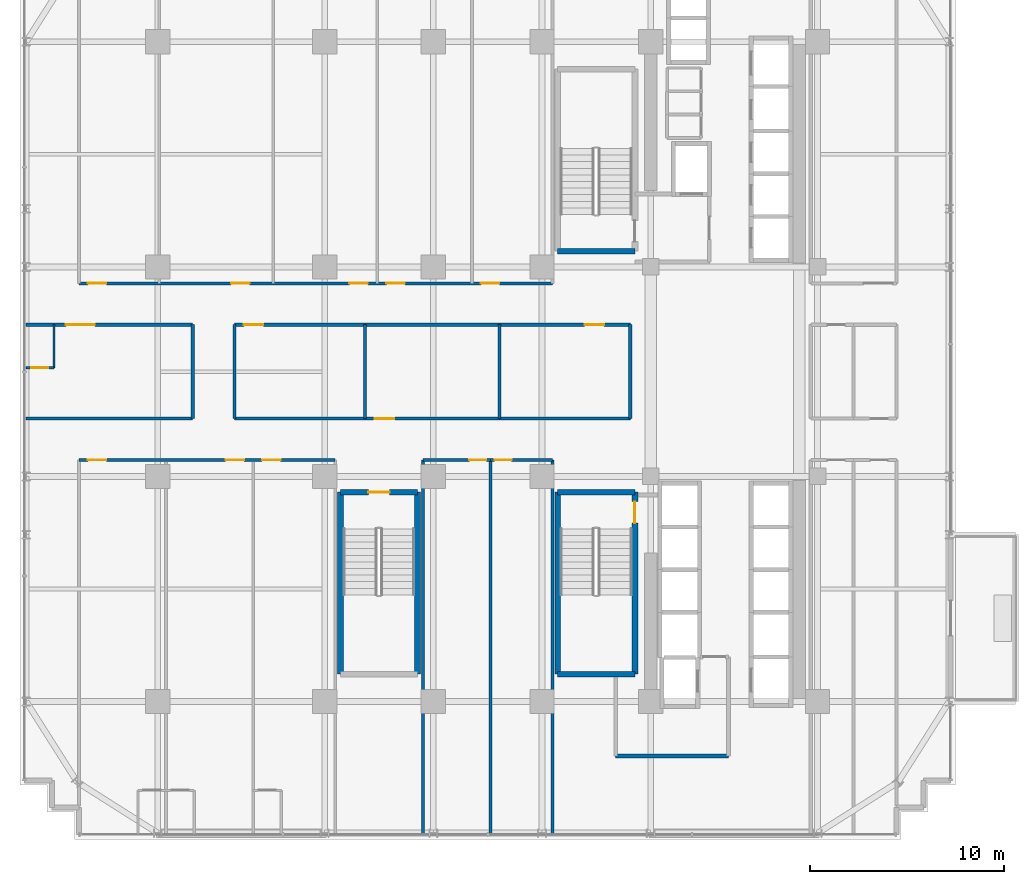
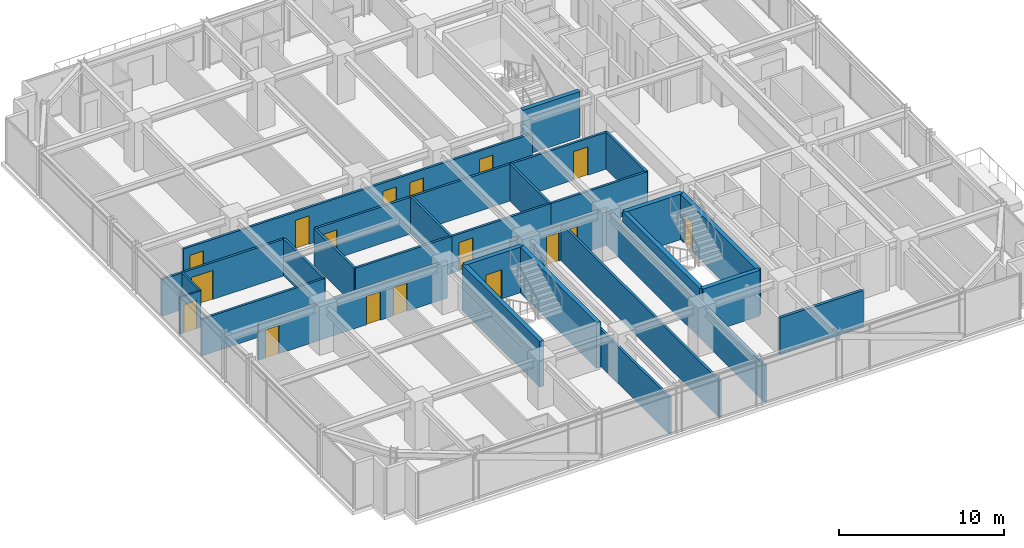
# One storey, part 27 of 34: 31 walls, 17 doors, 17 openings.
"""IFC4 building model written with IfcOpenShell, lengths in metres."""

from ifc_helpers import new_model, si_unit, direction, frame, frame_2d, origin, place, context, subcontext, project, spatial, rectangle, extrude, source, transform, mapped, material, layer, layer_set, type_object, element, fill, save


model = new_model("IFC4")

# Units and contexts
model_context = context("Model", 3, precision=1e-05, world=origin(), true_north=direction((0.0, 1.0)))
body_context = subcontext(model_context, "Body", "Model", "MODEL_VIEW")
ifc_project = project(units=[si_unit("LENGTHUNIT", "METRE"), si_unit("AREAUNIT", "SQUARE_METRE"), si_unit("VOLUMEUNIT", "CUBIC_METRE"), si_unit("PLANEANGLEUNIT", "RADIAN"), si_unit("MASSUNIT", "GRAM", prefix="KILO")], contexts=[model_context])

# Site, building, storey
site_placement = place(None, origin())
site = spatial("IfcSite", under=ifc_project, at=site_placement, CompositionType="ELEMENT")
building_placement = place(site_placement, origin())
building = spatial("IfcBuilding", under=site, at=building_placement, Name="Nahalor Promenade Grand Hotel", CompositionType="ELEMENT")
storey_placement = place(building_placement, frame((0.0, 0.0, 99.25)))
storey = spatial("IfcBuildingStorey", under=building, at=storey_placement, Name="L24", CompositionType="ELEMENT", Elevation=99.25)

# Walls
ifc_material_1 = material(Name="Concrete B-50 (C40/50)", Category="concrete")
ifc_layer_1 = layer(ifc_material_1, 0.300048828125)
ifc_layer_set_1 = layer_set([ifc_layer_1], Name="Concrete B-50 (C40/50)")
wall_type_1 = type_object("IfcWallType", Name="Wall-ShaftShear-300", PredefinedType="SHEAR", material=ifc_layer_set_1)
shared_shape_1 = source(origin(), body_context, "Body", "SweptSolid", [
    extrude(rectangle(XDim=3.97998046875, YDim=0.300048828125, at=frame_2d((1.989990234375, 0.0))), origin(), (0.0, 0.0, 1.0), 3.3798828125),
])
for number, where, z_axis, x_axis, name in (
    (1, (3.610107421875, 6.2099609375, 0.0), (0.0, 0.0, 1.0), (1.0, 0.0, 0.0), "L24 Exit Stair ST1 Shaft Wall S"),
    (2, (3.610107421875, -15.590087890625, 0.0), (0.0, 0.0, 1.0), (1.0, 0.0, 0.0), "L24 Exit Stair ST2 Shaft Wall S"),
    (3, (3.610107421875, -6.2099609375, 0.0), (0.0, 0.0, 1.0), (1.0, 0.0, 0.0), "L24 Exit Stair ST2 Shaft Wall N"),
):
    element("IfcWall", number, at=place(storey_placement, frame(where, z_axis=z_axis, x_axis=x_axis)), inside=storey, type_object=wall_type_1, Name=name, PredefinedType="SHEAR", context=body_context, shape_type="MappedRepresentation", body=[
        mapped(shared_shape_1, transform((0.0, 0.0, 0.0), scale=1.0)),
    ])

# Wall, opening, door
wall_1_placement = place(storey_placement, frame((-7.590087890625, -6.2099609375, 0.0), z_axis=(0.0, 0.0, 1.0), x_axis=(1.0, 0.0, 0.0)))
wall_1 = element("IfcWall", 4, at=wall_1_placement, inside=storey, type_object=wall_type_1, Name="L24 Exit Stair ST3 Shaft Wall N", PredefinedType="SHEAR", context=body_context, shape_type="MappedRepresentation", body=[
    mapped(shared_shape_1, transform((0.0, 0.0, 0.0), scale=1.0)),
])
opening_1_placement = place(wall_1_placement, frame((1.43994140625, 0.0, 0.0)))
opening_1 = element("IfcOpeningElement", 5, at=opening_1_placement, cuts=wall_1, Name="Opening D-ST1", PredefinedType="OPENING", context=body_context, shape_type="SweptSolid", body=[
    extrude(rectangle(XDim=1.10009765625, YDim=2.14990234375, at=frame_2d((0.550048828125, 1.074951171875))), frame((0.0, 0.159912109375, 0.0), z_axis=(0.0, -1.0, 0.0), x_axis=(1.0, 0.0, 0.0)), (0.0, 0.0, 1.0), 0.320068359375),
])
ifc_material_2 = material(Name="Steel S355JR", Category="steel")
door_type_1 = type_object("IfcDoorType", Name="Door-StairFire-1100", OperationType="NOTDEFINED", PredefinedType="DOOR", material=ifc_material_2)
shared_shape_2 = source(origin(), body_context, "Body", "SweptSolid", [
    extrude(rectangle(XDim=1.10009765625, YDim=2.14990234375, at=frame_2d((0.550048828125, 1.074951171875))), frame((0.0, 0.02490234375, 0.0), z_axis=(0.0, -1.0, 0.0), x_axis=(1.0, 0.0, 0.0)), (0.0, 0.0, 1.0), 0.050048828125),
])
door_1_placement = place(opening_1_placement, frame((1.10009765625, 0.0, 0.0), z_axis=(0.0, 0.0, 1.0), x_axis=(-1.0, 0.0, 0.0)))
door_1 = element("IfcDoor", 6, at=door_1_placement, inside=storey, type_object=door_type_1, Name="DR-STAIR-ST3-L24", OperationType="SINGLE_SWING_LEFT", OverallHeight=2.14990234375, OverallWidth=1.10009765625, PredefinedType="DOOR", context=body_context, shape_type="MappedRepresentation", body=[
    mapped(shared_shape_2, transform((0.0, 0.0, 0.0), scale=1.0)),
])
fill(opening_1, door_1)

# Wall
shared_shape_3 = source(origin(), body_context, "Body", "SweptSolid", [
    extrude(rectangle(XDim=9.380126953125, YDim=0.300048828125, at=frame_2d((4.68994140625, 0.0))), origin(), (0.0, 0.0, 1.0), 3.3798828125),
])
wall_2_placement = place(storey_placement, frame((3.610107421875, -15.590087890625, 0.0), z_axis=(0.0, 0.0, 1.0), x_axis=(0.0, 1.0, 0.0)))
element("IfcWall", 7, at=wall_2_placement, inside=storey, type_object=wall_type_1, Name="L24 Exit Stair ST2 Shaft Wall W", PredefinedType="SHEAR", context=body_context, shape_type="MappedRepresentation", body=[
    mapped(shared_shape_3, transform((0.0, 0.0, 0.0), scale=1.0)),
])

# Wall, opening, door
wall_3_placement = place(storey_placement, frame((7.590087890625, -15.590087890625, 0.0), z_axis=(0.0, 0.0, 1.0), x_axis=(0.0, 1.0, 0.0)))
wall_3 = element("IfcWall", 8, at=wall_3_placement, inside=storey, type_object=wall_type_1, Name="L24 Exit Stair ST2 Shaft Wall E", PredefinedType="SHEAR", context=body_context, shape_type="MappedRepresentation", body=[
    mapped(shared_shape_3, transform((0.0, 0.0, 0.0), scale=1.0)),
])
opening_2_placement = place(wall_3_placement, frame((7.7900390625, 0.0, 0.0)))
opening_2 = element("IfcOpeningElement", 9, at=opening_2_placement, cuts=wall_3, Name="Opening D-ST1", PredefinedType="OPENING", context=body_context, shape_type="SweptSolid", body=[
    extrude(rectangle(XDim=1.10009765625, YDim=2.14990234375, at=frame_2d((0.550048828125, 1.074951171875))), frame((0.0, 0.159912109375, 0.0), z_axis=(0.0, -1.0, 0.0), x_axis=(1.0, 0.0, 0.0)), (0.0, 0.0, 1.0), 0.320068359375),
])
door_2_placement = place(opening_2_placement, origin())
door_2 = element("IfcDoor", 10, at=door_2_placement, inside=storey, type_object=door_type_1, Name="DR-STAIR-ST2-L24", OperationType="SINGLE_SWING_LEFT", OverallHeight=2.14990234375, OverallWidth=1.10009765625, PredefinedType="DOOR", context=body_context, shape_type="MappedRepresentation", body=[
    mapped(shared_shape_2, transform((0.0, 0.0, 0.0), scale=1.0)),
])
fill(opening_2, door_2)

# Walls
for number, where, z_axis, x_axis, name in (
    (11, (-7.590087890625, -15.590087890625, 0.0), (0.0, 0.0, 1.0), (0.0, 1.0, 0.0), "L24 Exit Stair ST3 Shaft Wall W"),
    (12, (-3.610107421875, -15.590087890625, 0.0), (0.0, 0.0, 1.0), (0.0, 1.0, 0.0), "L24 Exit Stair ST3 Shaft Wall E"),
):
    element("IfcWall", number, at=place(storey_placement, frame(where, z_axis=z_axis, x_axis=x_axis)), inside=storey, type_object=wall_type_1, Name=name, PredefinedType="SHEAR", context=body_context, shape_type="MappedRepresentation", body=[
        mapped(shared_shape_3, transform((0.0, 0.0, 0.0), scale=1.0)),
    ])
ifc_material_3 = material(Name="Concrete B-40 (C32/40)", Category="concrete")
ifc_layer_2 = layer(ifc_material_3, 0.199951171875)
ifc_layer_set_2 = layer_set([ifc_layer_2], Name="Concrete B-40 (C32/40)")
wall_type_2 = type_object("IfcWallType", Name="Wall-PartFire-200", PredefinedType="PARTITIONING", material=ifc_layer_set_2)
shared_shape_4 = source(origin(), body_context, "Body", "SweptSolid", [
    extrude(rectangle(XDim=5.81982421875, YDim=0.199951171875, at=frame_2d((2.909912109375, 0.0))), origin(), (0.0, 0.0, 1.0), 2.719970703125),
])
wall_4_placement = place(storey_placement, frame((6.60009765625, -19.800048828125, 0.0), z_axis=(0.0, 0.0, 1.0), x_axis=(1.0, 0.0, 0.0)))
element("IfcWall", 13, at=wall_4_placement, inside=storey, type_object=wall_type_2, Name="W-L24-FF2-S1", PredefinedType="PARTITIONING", context=body_context, shape_type="MappedRepresentation", body=[
    mapped(shared_shape_4, transform((0.0, 0.0, 0.0), scale=1.0)),
])
ifc_material_4 = material(Name="Acoustic Mineral Gypsum", Category="gypsum")
ifc_layer_3 = layer(ifc_material_4, 0.159912109375)
ifc_layer_set_3 = layer_set([ifc_layer_3], Name="Acoustic Mineral Gypsum")
wall_type_3 = type_object("IfcWallType", Name="Wall-PartCorridor-160", PredefinedType="PARTITIONING", material=ifc_layer_set_3)
shared_shape_5 = source(origin(), body_context, "Body", "SweptSolid", [
    extrude(rectangle(XDim=19.25, YDim=0.159912109375, at=frame_2d((9.625, 0.0))), origin(), (0.0, 0.0, 1.0), 2.719970703125),
])
for number, where, z_axis, x_axis, name in (
    (14, (-3.340087890625, -23.800048828125, 0.0), (0.0, 0.0, 1.0), (0.0, 1.0, 0.0), "W-L24-SCB1-W"),
    (15, (0.14990234375, -23.800048828125, 0.0), (0.0, 0.0, 1.0), (0.0, 1.0, 0.0), "W-L24-SCB1-E"),
    (16, (3.340087890625, -23.800048828125, 0.0), (0.0, 0.0, 1.0), (0.0, 1.0, 0.0), "W-L24-SCB2-E"),
):
    element("IfcWall", number, at=place(storey_placement, frame(where, z_axis=z_axis, x_axis=x_axis)), inside=storey, type_object=wall_type_3, Name=name, PredefinedType="PARTITIONING", context=body_context, shape_type="MappedRepresentation", body=[
        mapped(shared_shape_5, transform((0.0, 0.0, 0.0), scale=1.0)),
    ])

# Wall, openings, doors
shared_shape_6 = source(origin(), body_context, "Body", "SweptSolid", [
    extrude(rectangle(XDim=24.400146484375, YDim=0.159912109375, at=frame_2d((12.2001953125, 0.0))), origin(), (0.0, 0.0, 1.0), 2.719970703125),
])
wall_5_placement = place(storey_placement, frame((-21.06005859375, 4.550048828125, 0.0), z_axis=(0.0, 0.0, 1.0), x_axis=(1.0, 0.0, 0.0)))
wall_5 = element("IfcWall", 17, at=wall_5_placement, inside=storey, type_object=wall_type_3, Name="W-L24-CORR-N", PredefinedType="PARTITIONING", context=body_context, shape_type="MappedRepresentation", body=[
    mapped(shared_shape_6, transform((0.0, 0.0, 0.0), scale=1.0)),
])
opening_3_placement = place(wall_5_placement, frame((0.45703125, 0.0, 0.0)))
opening_3 = element("IfcOpeningElement", 18, at=opening_3_placement, cuts=wall_5, Name="Opening D-01", PredefinedType="OPENING", context=body_context, shape_type="SweptSolid", body=[
    extrude(rectangle(XDim=0.949951171875, YDim=2.10009765625, at=frame_2d((0.47509765625, 1.050048828125))), frame((0.0, 0.08984375, 0.0), z_axis=(0.0, -1.0, 0.0), x_axis=(1.0, 0.0, 0.0)), (0.0, 0.0, 1.0), 0.179931640625),
])
opening_4_placement = place(wall_5_placement, frame((7.843994140625, 0.0, 0.0)))
opening_4 = element("IfcOpeningElement", 19, at=opening_4_placement, cuts=wall_5, Name="Opening D-01", PredefinedType="OPENING", context=body_context, shape_type="SweptSolid", body=[
    extrude(rectangle(XDim=0.949951171875, YDim=2.10009765625, at=frame_2d((0.47509765625, 1.050048828125))), frame((0.0, 0.08984375, 0.0), z_axis=(0.0, -1.0, 0.0), x_axis=(1.0, 0.0, 0.0)), (0.0, 0.0, 1.0), 0.179931640625),
])
opening_5_placement = place(wall_5_placement, frame((13.93896484375, 0.0, 0.0)))
opening_5 = element("IfcOpeningElement", 20, at=opening_5_placement, cuts=wall_5, Name="Opening D-01", PredefinedType="OPENING", context=body_context, shape_type="SweptSolid", body=[
    extrude(rectangle(XDim=0.949951171875, YDim=2.10009765625, at=frame_2d((0.47509765625, 1.050048828125))), frame((0.0, 0.08984375, 0.0), z_axis=(0.0, -1.0, 0.0), x_axis=(1.0, 0.0, 0.0)), (0.0, 0.0, 1.0), 0.179931640625),
])
opening_6_placement = place(wall_5_placement, frame((15.844970703125, 0.0, 0.0)))
opening_6 = element("IfcOpeningElement", 21, at=opening_6_placement, cuts=wall_5, Name="Opening D-01", PredefinedType="OPENING", context=body_context, shape_type="SweptSolid", body=[
    extrude(rectangle(XDim=0.949951171875, YDim=2.10009765625, at=frame_2d((0.47509765625, 1.050048828125))), frame((0.0, 0.08984375, 0.0), z_axis=(0.0, -1.0, 0.0), x_axis=(1.0, 0.0, 0.0)), (0.0, 0.0, 1.0), 0.179931640625),
])
opening_7_placement = place(wall_5_placement, frame((20.708984375, 0.0, 0.0)))
opening_7 = element("IfcOpeningElement", 22, at=opening_7_placement, cuts=wall_5, Name="Opening D-01", PredefinedType="OPENING", context=body_context, shape_type="SweptSolid", body=[
    extrude(rectangle(XDim=0.949951171875, YDim=2.10009765625, at=frame_2d((0.47509765625, 1.050048828125))), frame((0.0, 0.08984375, 0.0), z_axis=(0.0, -1.0, 0.0), x_axis=(1.0, 0.0, 0.0)), (0.0, 0.0, 1.0), 0.179931640625),
])
ifc_material_5 = material(Name="Fire-Rated Timber Composite", Category="wood")
door_type_2 = type_object("IfcDoorType", Name="Door-GuestEntry-950", OperationType="NOTDEFINED", PredefinedType="DOOR", material=ifc_material_5)
shared_shape_7 = source(origin(), body_context, "Body", "SweptSolid", [
    extrude(rectangle(XDim=0.949951171875, YDim=2.10009765625, at=frame_2d((0.47509765625, 1.050048828125))), frame((0.0, 0.02490234375, 0.0), z_axis=(0.0, -1.0, 0.0), x_axis=(1.0, 0.0, 0.0)), (0.0, 0.0, 1.0), 0.050048828125),
])
door_3_placement = place(opening_3_placement, origin())
door_3 = element("IfcDoor", 23, at=door_3_placement, inside=storey, type_object=door_type_2, Name="DR-L24-N1-ENT", OperationType="SINGLE_SWING_LEFT", OverallHeight=2.10009765625, OverallWidth=0.949951171875, PredefinedType="DOOR", context=body_context, shape_type="MappedRepresentation", body=[
    mapped(shared_shape_7, transform((0.0, 0.0, 0.0), scale=1.0)),
])
fill(opening_3, door_3)
door_4_placement = place(opening_4_placement, origin())
door_4 = element("IfcDoor", 24, at=door_4_placement, inside=storey, type_object=door_type_2, Name="DR-L24-N2-ENT", OperationType="SINGLE_SWING_LEFT", OverallHeight=2.10009765625, OverallWidth=0.949951171875, PredefinedType="DOOR", context=body_context, shape_type="MappedRepresentation", body=[
    mapped(shared_shape_7, transform((0.0, 0.0, 0.0), scale=1.0)),
])
fill(opening_4, door_4)
door_5_placement = place(opening_5_placement, origin())
door_5 = element("IfcDoor", 25, at=door_5_placement, inside=storey, type_object=door_type_2, Name="DR-L24-N3-ENT", OperationType="SINGLE_SWING_LEFT", OverallHeight=2.10009765625, OverallWidth=0.949951171875, PredefinedType="DOOR", context=body_context, shape_type="MappedRepresentation", body=[
    mapped(shared_shape_7, transform((0.0, 0.0, 0.0), scale=1.0)),
])
fill(opening_5, door_5)
door_6_placement = place(opening_6_placement, origin())
door_6 = element("IfcDoor", 26, at=door_6_placement, inside=storey, type_object=door_type_2, Name="DR-L24-N4-ENT", OperationType="SINGLE_SWING_LEFT", OverallHeight=2.10009765625, OverallWidth=0.949951171875, PredefinedType="DOOR", context=body_context, shape_type="MappedRepresentation", body=[
    mapped(shared_shape_7, transform((0.0, 0.0, 0.0), scale=1.0)),
])
fill(opening_6, door_6)
door_7_placement = place(opening_7_placement, origin())
door_7 = element("IfcDoor", 27, at=door_7_placement, inside=storey, type_object=door_type_2, Name="DR-L24-N5-ENT", OperationType="SINGLE_SWING_LEFT", OverallHeight=2.10009765625, OverallWidth=0.949951171875, PredefinedType="DOOR", context=body_context, shape_type="MappedRepresentation", body=[
    mapped(shared_shape_7, transform((0.0, 0.0, 0.0), scale=1.0)),
])
fill(opening_7, door_7)

# Wall
ifc_layer_4 = layer(ifc_material_4, 0.1201171875)
ifc_layer_set_4 = layer_set([ifc_layer_4], Name="Acoustic Mineral Gypsum")
wall_type_4 = type_object("IfcWallType", Name="Wall-PartBath-120", PredefinedType="PARTITIONING", material=ifc_layer_set_4)
shared_shape_8 = source(origin(), body_context, "Body", "SweptSolid", [
    extrude(rectangle(XDim=2.219970703125, YDim=0.1201171875, at=frame_2d((1.10986328125, 0.0))), origin(), (0.0, 0.0, 1.0), 2.719970703125),
])
wall_6_placement = place(storey_placement, frame((-22.35009765625, 0.199951171875, 0.0), z_axis=(0.0, 0.0, 1.0), x_axis=(0.0, 1.0, 0.0)))
element("IfcWall", 28, at=wall_6_placement, inside=storey, type_object=wall_type_4, Name="W-L24-W1-BV", PredefinedType="PARTITIONING", context=body_context, shape_type="MappedRepresentation", body=[
    mapped(shared_shape_8, transform((0.0, 0.0, 0.0), scale=1.0)),
])

# Wall, opening, door
shared_shape_9 = source(origin(), body_context, "Body", "SweptSolid", [
    extrude(rectangle(XDim=1.449951171875, YDim=0.1201171875, at=frame_2d((0.72509765625, 0.0))), origin(), (0.0, 0.0, 1.0), 2.719970703125),
])
wall_7_placement = place(storey_placement, frame((-23.800048828125, 0.199951171875, 0.0), z_axis=(0.0, 0.0, 1.0), x_axis=(1.0, 0.0, 0.0)))
wall_7 = element("IfcWall", 29, at=wall_7_placement, inside=storey, type_object=wall_type_4, Name="W-L24-W1-BH", PredefinedType="PARTITIONING", context=body_context, shape_type="MappedRepresentation", body=[
    mapped(shared_shape_9, transform((0.0, 0.0, 0.0), scale=1.0)),
])
opening_8_placement = place(wall_7_placement, frame((0.284912109375, 0.0, 0.0)))
opening_8 = element("IfcOpeningElement", 30, at=opening_8_placement, cuts=wall_7, Name="Opening D-03", PredefinedType="OPENING", context=body_context, shape_type="SweptSolid", body=[
    extrude(rectangle(XDim=0.8798828125, YDim=2.10009765625, at=frame_2d((0.43994140625, 1.050048828125))), frame((0.0, 0.070068359375, 0.0), z_axis=(0.0, -1.0, 0.0), x_axis=(1.0, 0.0, 0.0)), (0.0, 0.0, 1.0), 0.14013671875),
])
door_type_3 = type_object("IfcDoorType", Name="Door-BathSwing-880", OperationType="NOTDEFINED", PredefinedType="DOOR", material=ifc_material_5)
shared_shape_10 = source(origin(), body_context, "Body", "SweptSolid", [
    extrude(rectangle(XDim=0.8798828125, YDim=2.10009765625, at=frame_2d((0.43994140625, 1.050048828125))), frame((0.0, 0.02490234375, 0.0), z_axis=(0.0, -1.0, 0.0), x_axis=(1.0, 0.0, 0.0)), (0.0, 0.0, 1.0), 0.050048828125),
])
door_8_placement = place(opening_8_placement, origin())
door_8 = element("IfcDoor", 31, at=door_8_placement, inside=storey, type_object=door_type_3, Name="DR-L24-W1-BATH", OperationType="SINGLE_SWING_RIGHT", OverallHeight=2.10009765625, OverallWidth=0.8798828125, PredefinedType="DOOR", context=body_context, shape_type="MappedRepresentation", body=[
    mapped(shared_shape_10, transform((0.0, 0.0, 0.0), scale=1.0)),
])
fill(opening_8, door_8)

# Wall, openings, doors
shared_shape_11 = source(origin(), body_context, "Body", "SweptSolid", [
    extrude(rectangle(XDim=13.199951171875, YDim=0.159912109375, at=frame_2d((6.60009765625, 0.0))), origin(), (0.0, 0.0, 1.0), 2.719970703125),
])
wall_8_placement = place(storey_placement, frame((-21.06005859375, -4.550048828125, 0.0), z_axis=(0.0, 0.0, 1.0), x_axis=(1.0, 0.0, 0.0)))
wall_8 = element("IfcWall", 32, at=wall_8_placement, inside=storey, type_object=wall_type_3, Name="W-L24-CORR-S", PredefinedType="PARTITIONING", context=body_context, shape_type="MappedRepresentation", body=[
    mapped(shared_shape_11, transform((0.0, 0.0, 0.0), scale=1.0)),
])
opening_9_placement = place(wall_8_placement, frame((0.464111328125, 0.0, 0.0)))
opening_9 = element("IfcOpeningElement", 33, at=opening_9_placement, cuts=wall_8, Name="Opening D-01", PredefinedType="OPENING", context=body_context, shape_type="SweptSolid", body=[
    extrude(rectangle(XDim=0.949951171875, YDim=2.10009765625, at=frame_2d((0.47509765625, 1.050048828125))), frame((0.0, 0.08984375, 0.0), z_axis=(0.0, -1.0, 0.0), x_axis=(1.0, 0.0, 0.0)), (0.0, 0.0, 1.0), 0.179931640625),
])
opening_10_placement = place(wall_8_placement, frame((7.56201171875, 0.0, 0.0)))
opening_10 = element("IfcOpeningElement", 34, at=opening_10_placement, cuts=wall_8, Name="Opening D-01", PredefinedType="OPENING", context=body_context, shape_type="SweptSolid", body=[
    extrude(rectangle(XDim=0.949951171875, YDim=2.10009765625, at=frame_2d((0.47509765625, 1.050048828125))), frame((0.0, 0.08984375, 0.0), z_axis=(0.0, -1.0, 0.0), x_axis=(1.0, 0.0, 0.0)), (0.0, 0.0, 1.0), 0.179931640625),
])
opening_11_placement = place(wall_8_placement, frame((9.43505859375, 0.0, 0.0)))
opening_11 = element("IfcOpeningElement", 35, at=opening_11_placement, cuts=wall_8, Name="Opening D-01", PredefinedType="OPENING", context=body_context, shape_type="SweptSolid", body=[
    extrude(rectangle(XDim=0.949951171875, YDim=2.10009765625, at=frame_2d((0.47509765625, 1.050048828125))), frame((0.0, 0.08984375, 0.0), z_axis=(0.0, -1.0, 0.0), x_axis=(1.0, 0.0, 0.0)), (0.0, 0.0, 1.0), 0.179931640625),
])
door_9_placement = place(opening_9_placement, frame((0.949951171875, 0.0, 0.0), z_axis=(0.0, 0.0, 1.0), x_axis=(-1.0, 0.0, 0.0)))
door_9 = element("IfcDoor", 36, at=door_9_placement, inside=storey, type_object=door_type_2, Name="DR-L24-S1-ENT", OperationType="SINGLE_SWING_LEFT", OverallHeight=2.10009765625, OverallWidth=0.949951171875, PredefinedType="DOOR", context=body_context, shape_type="MappedRepresentation", body=[
    mapped(shared_shape_7, transform((0.0, 0.0, 0.0), scale=1.0)),
])
fill(opening_9, door_9)
door_10_placement = place(opening_10_placement, frame((0.949951171875, 0.0, 0.0), z_axis=(0.0, 0.0, 1.0), x_axis=(-1.0, 0.0, 0.0)))
door_10 = element("IfcDoor", 37, at=door_10_placement, inside=storey, type_object=door_type_2, Name="DR-L24-S2-ENT", OperationType="SINGLE_SWING_LEFT", OverallHeight=2.10009765625, OverallWidth=0.949951171875, PredefinedType="DOOR", context=body_context, shape_type="MappedRepresentation", body=[
    mapped(shared_shape_7, transform((0.0, 0.0, 0.0), scale=1.0)),
])
fill(opening_10, door_10)
door_11_placement = place(opening_11_placement, frame((0.949951171875, 0.0, 0.0), z_axis=(0.0, 0.0, 1.0), x_axis=(-1.0, 0.0, 0.0)))
door_11 = element("IfcDoor", 38, at=door_11_placement, inside=storey, type_object=door_type_2, Name="DR-L24-S3-ENT", OperationType="SINGLE_SWING_LEFT", OverallHeight=2.10009765625, OverallWidth=0.949951171875, PredefinedType="DOOR", context=body_context, shape_type="MappedRepresentation", body=[
    mapped(shared_shape_7, transform((0.0, 0.0, 0.0), scale=1.0)),
])
fill(opening_11, door_11)

# Walls
shared_shape_12 = source(origin(), body_context, "Body", "SweptSolid", [
    extrude(rectangle(XDim=4.83984375, YDim=0.159912109375, at=frame_2d((2.419921875, 0.0))), origin(), (0.0, 0.0, 1.0), 2.719970703125),
])
for number, where, z_axis, x_axis, name in (
    (39, (-15.199951171875, -2.419921875, 0.0), (0.0, 0.0, 1.0), (0.0, 1.0, 0.0), "W-L24-WEST-E"),
    (40, (-13.050048828125, -2.419921875, 0.0), (0.0, 0.0, 1.0), (0.0, 1.0, 0.0), "W-L24-CM1-W"),
    (41, (-6.318115234375, -2.419921875, 0.0), (0.0, 0.0, 1.0), (0.0, 1.0, 0.0), "W-L24-CM1-E"),
    (42, (0.617919921875, -2.419921875, 0.0), (0.0, 0.0, 1.0), (0.0, 1.0, 0.0), "W-L24-CM2-E"),
    (43, (7.35009765625, -2.419921875, 0.0), (0.0, 0.0, 1.0), (0.0, 1.0, 0.0), "W-L24-CM3-E"),
):
    element("IfcWall", number, at=place(storey_placement, frame(where, z_axis=z_axis, x_axis=x_axis)), inside=storey, type_object=wall_type_3, Name=name, PredefinedType="PARTITIONING", context=body_context, shape_type="MappedRepresentation", body=[
        mapped(shared_shape_12, transform((0.0, 0.0, 0.0), scale=1.0)),
    ])

# Wall, opening, door
shared_shape_13 = source(origin(), body_context, "Body", "SweptSolid", [
    extrude(rectangle(XDim=3.489990234375, YDim=0.159912109375, at=frame_2d((1.7451171875, 0.0))), origin(), (0.0, 0.0, 1.0), 2.719970703125),
])
wall_9_placement = place(storey_placement, frame((-3.340087890625, -4.550048828125, 0.0), z_axis=(0.0, 0.0, 1.0), x_axis=(1.0, 0.0, 0.0)))
wall_9 = element("IfcWall", 44, at=wall_9_placement, inside=storey, type_object=wall_type_3, Name="W-L24-SCB1-N", PredefinedType="PARTITIONING", context=body_context, shape_type="MappedRepresentation", body=[
    mapped(shared_shape_13, transform((0.0, 0.0, 0.0), scale=1.0)),
])
opening_12_placement = place(wall_9_placement, frame((2.39990234375, 0.0, 0.0)))
opening_12 = element("IfcOpeningElement", 45, at=opening_12_placement, cuts=wall_9, Name="Opening D-03", PredefinedType="OPENING", context=body_context, shape_type="SweptSolid", body=[
    extrude(rectangle(XDim=0.8798828125, YDim=2.10009765625, at=frame_2d((0.43994140625, 1.050048828125))), frame((0.0, 0.08984375, 0.0), z_axis=(0.0, -1.0, 0.0), x_axis=(1.0, 0.0, 0.0)), (0.0, 0.0, 1.0), 0.179931640625),
])
door_12_placement = place(opening_12_placement, frame((0.8798828125, 0.0, 0.0), z_axis=(0.0, 0.0, 1.0), x_axis=(-1.0, 0.0, 0.0)))
door_12 = element("IfcDoor", 46, at=door_12_placement, inside=storey, type_object=door_type_3, Name="DR-L24-SCB1", OperationType="SINGLE_SWING_RIGHT", OverallHeight=2.10009765625, OverallWidth=0.8798828125, PredefinedType="DOOR", context=body_context, shape_type="MappedRepresentation", body=[
    mapped(shared_shape_10, transform((0.0, 0.0, 0.0), scale=1.0)),
])
fill(opening_12, door_12)

shared_shape_14 = source(origin(), body_context, "Body", "SweptSolid", [
    extrude(rectangle(XDim=3.190185546875, YDim=0.159912109375, at=frame_2d((1.59521484375, 0.0))), origin(), (0.0, 0.0, 1.0), 2.719970703125),
])
wall_10_placement = place(storey_placement, frame((0.14990234375, -4.550048828125, 0.0), z_axis=(0.0, 0.0, 1.0), x_axis=(1.0, 0.0, 0.0)))
wall_10 = element("IfcWall", 47, at=wall_10_placement, inside=storey, type_object=wall_type_3, Name="W-L24-SCB2-N", PredefinedType="PARTITIONING", context=body_context, shape_type="MappedRepresentation", body=[
    mapped(shared_shape_14, transform((0.0, 0.0, 0.0), scale=1.0)),
])
opening_13_placement = place(wall_10_placement, frame((0.2099609375, 0.0, 0.0)))
opening_13 = element("IfcOpeningElement", 48, at=opening_13_placement, cuts=wall_10, Name="Opening D-03", PredefinedType="OPENING", context=body_context, shape_type="SweptSolid", body=[
    extrude(rectangle(XDim=0.8798828125, YDim=2.10009765625, at=frame_2d((0.43994140625, 1.050048828125))), frame((0.0, 0.08984375, 0.0), z_axis=(0.0, -1.0, 0.0), x_axis=(1.0, 0.0, 0.0)), (0.0, 0.0, 1.0), 0.179931640625),
])
door_13_placement = place(opening_13_placement, frame((0.8798828125, 0.0, 0.0), z_axis=(0.0, 0.0, 1.0), x_axis=(-1.0, 0.0, 0.0)))
door_13 = element("IfcDoor", 49, at=door_13_placement, inside=storey, type_object=door_type_3, Name="DR-L24-SCB2", OperationType="SINGLE_SWING_LEFT", OverallHeight=2.10009765625, OverallWidth=0.8798828125, PredefinedType="DOOR", context=body_context, shape_type="MappedRepresentation", body=[
    mapped(shared_shape_10, transform((0.0, 0.0, 0.0), scale=1.0)),
])
fill(opening_13, door_13)

shared_shape_15 = source(origin(), body_context, "Body", "SweptSolid", [
    extrude(rectangle(XDim=8.60009765625, YDim=0.159912109375, at=frame_2d((4.300048828125, 0.0))), origin(), (0.0, 0.0, 1.0), 2.719970703125),
])
wall_11_placement = place(storey_placement, frame((-23.800048828125, 2.419921875, 0.0), z_axis=(0.0, 0.0, 1.0), x_axis=(1.0, 0.0, 0.0)))
wall_11 = element("IfcWall", 50, at=wall_11_placement, inside=storey, type_object=wall_type_3, Name="W-L24-WEST-N", PredefinedType="PARTITIONING", context=body_context, shape_type="MappedRepresentation", body=[
    mapped(shared_shape_15, transform((0.0, 0.0, 0.0), scale=1.0)),
])
opening_14_placement = place(wall_11_placement, frame((2.06298828125, 0.0, 0.0)))
opening_14 = element("IfcOpeningElement", 51, at=opening_14_placement, cuts=wall_11, Name="Opening D-02", PredefinedType="OPENING", context=body_context, shape_type="SweptSolid", body=[
    extrude(rectangle(XDim=1.5, YDim=2.14990234375, at=frame_2d((0.75, 1.074951171875))), frame((0.0, 0.08984375, 0.0), z_axis=(0.0, -1.0, 0.0), x_axis=(1.0, 0.0, 0.0)), (0.0, 0.0, 1.0), 0.179931640625),
])
door_type_4 = type_object("IfcDoorType", Name="Door-SuiteDouble-1500", OperationType="DOUBLE_DOOR_SINGLE_SWING", PredefinedType="DOOR", material=ifc_material_5)
shared_shape_16 = source(origin(), body_context, "Body", "SweptSolid", [
    extrude(rectangle(XDim=1.5, YDim=2.14990234375, at=frame_2d((0.75, 1.074951171875))), frame((0.0, 0.02490234375, 0.0), z_axis=(0.0, -1.0, 0.0), x_axis=(1.0, 0.0, 0.0)), (0.0, 0.0, 1.0), 0.050048828125),
])
door_14_placement = place(opening_14_placement, origin())
door_14 = element("IfcDoor", 52, at=door_14_placement, inside=storey, type_object=door_type_4, Name="DR-L24-W1-ENT", OperationType="DOUBLE_DOOR_SINGLE_SWING", OverallHeight=2.14990234375, OverallWidth=1.5, PredefinedType="DOOR", context=body_context, shape_type="MappedRepresentation", body=[
    mapped(shared_shape_16, transform((0.0, 0.0, 0.0), scale=1.0)),
])
fill(opening_14, door_14)

# Walls
wall_12_placement = place(storey_placement, frame((-23.800048828125, -2.419921875, 0.0), z_axis=(0.0, 0.0, 1.0), x_axis=(1.0, 0.0, 0.0)))
element("IfcWall", 53, at=wall_12_placement, inside=storey, type_object=wall_type_3, Name="W-L24-WEST-S", PredefinedType="PARTITIONING", context=body_context, shape_type="MappedRepresentation", body=[
    mapped(shared_shape_15, transform((0.0, 0.0, 0.0), scale=1.0)),
])
shared_shape_17 = source(origin(), body_context, "Body", "SweptSolid", [
    extrude(rectangle(XDim=6.73193359375, YDim=0.159912109375, at=frame_2d((3.365966796875, 0.0))), origin(), (0.0, 0.0, 1.0), 2.719970703125),
])
wall_13_placement = place(storey_placement, frame((-13.050048828125, -2.419921875, 0.0), z_axis=(0.0, 0.0, 1.0), x_axis=(1.0, 0.0, 0.0)))
element("IfcWall", 54, at=wall_13_placement, inside=storey, type_object=wall_type_3, Name="W-L24-CM1-S", PredefinedType="PARTITIONING", context=body_context, shape_type="MappedRepresentation", body=[
    mapped(shared_shape_17, transform((0.0, 0.0, 0.0), scale=1.0)),
])

# Wall, opening, door
wall_14_placement = place(storey_placement, frame((-13.050048828125, 2.419921875, 0.0), z_axis=(0.0, 0.0, 1.0), x_axis=(1.0, 0.0, 0.0)))
wall_14 = element("IfcWall", 55, at=wall_14_placement, inside=storey, type_object=wall_type_3, Name="W-L24-CM1-N", PredefinedType="PARTITIONING", context=body_context, shape_type="MappedRepresentation", body=[
    mapped(shared_shape_17, transform((0.0, 0.0, 0.0), scale=1.0)),
])
opening_15_placement = place(wall_14_placement, frame((0.488037109375, 0.0, 0.0)))
opening_15 = element("IfcOpeningElement", 56, at=opening_15_placement, cuts=wall_14, Name="Opening D-04", PredefinedType="OPENING", context=body_context, shape_type="SweptSolid", body=[
    extrude(rectangle(XDim=1.0, YDim=2.10009765625, at=frame_2d((0.5, 1.050048828125))), frame((0.0, 0.08984375, 0.0), z_axis=(0.0, -1.0, 0.0), x_axis=(1.0, 0.0, 0.0)), (0.0, 0.0, 1.0), 0.179931640625),
])
door_type_5 = type_object("IfcDoorType", Name="Door-ServiceFire-1000", OperationType="NOTDEFINED", PredefinedType="DOOR", material=ifc_material_2)
shared_shape_18 = source(origin(), body_context, "Body", "SweptSolid", [
    extrude(rectangle(XDim=1.0, YDim=2.10009765625, at=frame_2d((0.5, 1.050048828125))), frame((0.0, 0.02490234375, 0.0), z_axis=(0.0, -1.0, 0.0), x_axis=(1.0, 0.0, 0.0)), (0.0, 0.0, 1.0), 0.050048828125),
])
door_15_placement = place(opening_15_placement, frame((1.0, 0.0, 0.0), z_axis=(0.0, 0.0, 1.0), x_axis=(-1.0, 0.0, 0.0)))
door_15 = element("IfcDoor", 57, at=door_15_placement, inside=storey, type_object=door_type_5, Name="DR-L24-CM1", OperationType="SINGLE_SWING_LEFT", OverallHeight=2.10009765625, OverallWidth=1.0, PredefinedType="DOOR", context=body_context, shape_type="MappedRepresentation", body=[
    mapped(shared_shape_18, transform((0.0, 0.0, 0.0), scale=1.0)),
])
fill(opening_15, door_15)

shared_shape_19 = source(origin(), body_context, "Body", "SweptSolid", [
    extrude(rectangle(XDim=6.93603515625, YDim=0.159912109375, at=frame_2d((3.468017578125, 0.0))), origin(), (0.0, 0.0, 1.0), 2.719970703125),
])
wall_15_placement = place(storey_placement, frame((-6.318115234375, -2.419921875, 0.0), z_axis=(0.0, 0.0, 1.0), x_axis=(1.0, 0.0, 0.0)))
wall_15 = element("IfcWall", 58, at=wall_15_placement, inside=storey, type_object=wall_type_3, Name="W-L24-CM2-S", PredefinedType="PARTITIONING", context=body_context, shape_type="MappedRepresentation", body=[
    mapped(shared_shape_19, transform((0.0, 0.0, 0.0), scale=1.0)),
])
opening_16_placement = place(wall_15_placement, frame((0.492919921875, 0.0, 0.0)))
opening_16 = element("IfcOpeningElement", 59, at=opening_16_placement, cuts=wall_15, Name="Opening D-04", PredefinedType="OPENING", context=body_context, shape_type="SweptSolid", body=[
    extrude(rectangle(XDim=1.0, YDim=2.10009765625, at=frame_2d((0.5, 1.050048828125))), frame((0.0, 0.08984375, 0.0), z_axis=(0.0, -1.0, 0.0), x_axis=(1.0, 0.0, 0.0)), (0.0, 0.0, 1.0), 0.179931640625),
])
door_16_placement = place(opening_16_placement, origin())
door_16 = element("IfcDoor", 60, at=door_16_placement, inside=storey, type_object=door_type_5, Name="DR-L24-CM2", OperationType="SINGLE_SWING_RIGHT", OverallHeight=2.10009765625, OverallWidth=1.0, PredefinedType="DOOR", context=body_context, shape_type="MappedRepresentation", body=[
    mapped(shared_shape_18, transform((0.0, 0.0, 0.0), scale=1.0)),
])
fill(opening_16, door_16)

# Walls
wall_16_placement = place(storey_placement, frame((-6.318115234375, 2.419921875, 0.0), z_axis=(0.0, 0.0, 1.0), x_axis=(1.0, 0.0, 0.0)))
element("IfcWall", 61, at=wall_16_placement, inside=storey, type_object=wall_type_3, Name="W-L24-CM2-N", PredefinedType="PARTITIONING", context=body_context, shape_type="MappedRepresentation", body=[
    mapped(shared_shape_19, transform((0.0, 0.0, 0.0), scale=1.0)),
])
shared_shape_20 = source(origin(), body_context, "Body", "SweptSolid", [
    extrude(rectangle(XDim=6.732177734375, YDim=0.159912109375, at=frame_2d((3.3662109375, 0.0))), origin(), (0.0, 0.0, 1.0), 2.719970703125),
])
wall_17_placement = place(storey_placement, frame((0.617919921875, -2.419921875, 0.0), z_axis=(0.0, 0.0, 1.0), x_axis=(1.0, 0.0, 0.0)))
element("IfcWall", 62, at=wall_17_placement, inside=storey, type_object=wall_type_3, Name="W-L24-CM3-S", PredefinedType="PARTITIONING", context=body_context, shape_type="MappedRepresentation", body=[
    mapped(shared_shape_20, transform((0.0, 0.0, 0.0), scale=1.0)),
])

# Wall, opening, door
wall_18_placement = place(storey_placement, frame((0.617919921875, 2.419921875, 0.0), z_axis=(0.0, 0.0, 1.0), x_axis=(1.0, 0.0, 0.0)))
wall_18 = element("IfcWall", 63, at=wall_18_placement, inside=storey, type_object=wall_type_3, Name="W-L24-CM3-N", PredefinedType="PARTITIONING", context=body_context, shape_type="MappedRepresentation", body=[
    mapped(shared_shape_20, transform((0.0, 0.0, 0.0), scale=1.0)),
])
opening_17_placement = place(wall_18_placement, frame((4.37890625, 0.0, 0.0)))
opening_17 = element("IfcOpeningElement", 64, at=opening_17_placement, cuts=wall_18, Name="Opening D-04", PredefinedType="OPENING", context=body_context, shape_type="SweptSolid", body=[
    extrude(rectangle(XDim=1.0, YDim=2.10009765625, at=frame_2d((0.5, 1.050048828125))), frame((0.0, 0.08984375, 0.0), z_axis=(0.0, -1.0, 0.0), x_axis=(1.0, 0.0, 0.0)), (0.0, 0.0, 1.0), 0.179931640625),
])
door_17_placement = place(opening_17_placement, frame((1.0, 0.0, 0.0), z_axis=(0.0, 0.0, 1.0), x_axis=(-1.0, 0.0, 0.0)))
door_17 = element("IfcDoor", 65, at=door_17_placement, inside=storey, type_object=door_type_5, Name="DR-L24-CM3", OperationType="SINGLE_SWING_LEFT", OverallHeight=2.10009765625, OverallWidth=1.0, PredefinedType="DOOR", context=body_context, shape_type="MappedRepresentation", body=[
    mapped(shared_shape_18, transform((0.0, 0.0, 0.0), scale=1.0)),
])
fill(opening_17, door_17)

save(model, "model.ifc")
